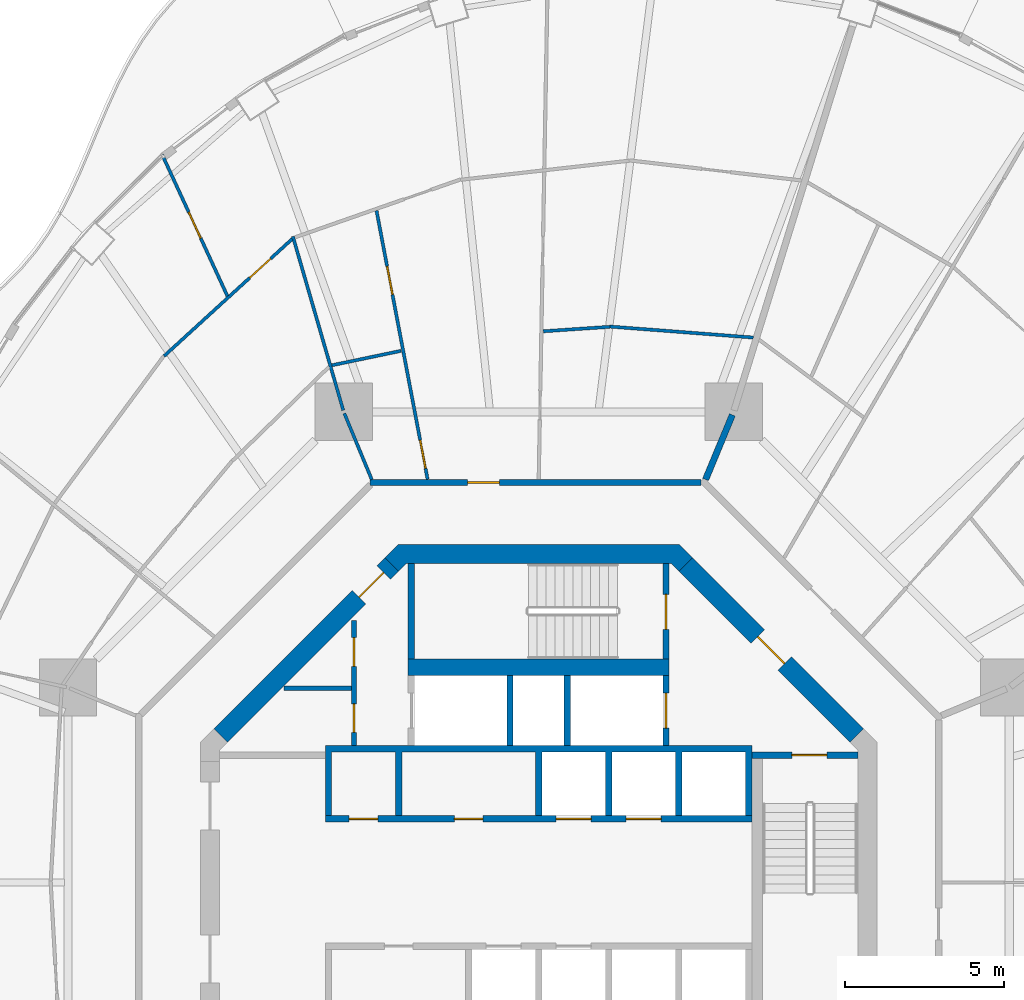
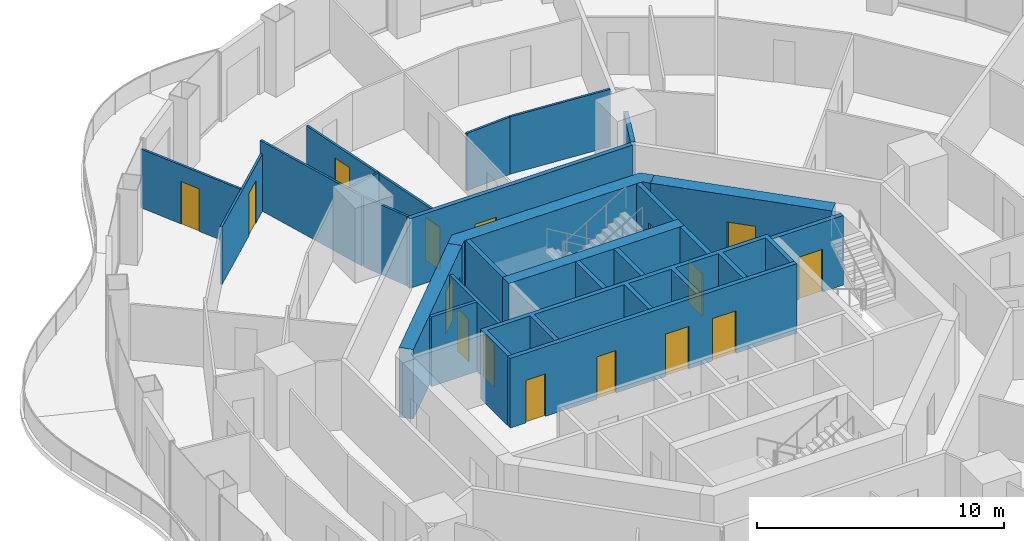
# One storey, part 14 of 19: 24 walls, 16 doors, 16 openings.
"""IFC4 building model written with IfcOpenShell, lengths in metres."""

from ifc_helpers import new_model, si_unit, direction, frame, frame_2d, origin, place, context, subcontext, project, spatial, polyline, rectangle, outline, extrude, material, layer, layer_set, type_object, element, fill, save


model = new_model("IFC4")

# Units and contexts
model_context = context("Model", 3, precision=1e-05, world=origin(), true_north=direction((0.0, 1.0)))
body_context = subcontext(model_context, "Body", "Model", "MODEL_VIEW")
ifc_project = project(units=[si_unit("LENGTHUNIT", "METRE"), si_unit("AREAUNIT", "SQUARE_METRE"), si_unit("VOLUMEUNIT", "CUBIC_METRE"), si_unit("PLANEANGLEUNIT", "RADIAN"), si_unit("MASSUNIT", "GRAM", prefix="KILO")], contexts=[model_context])

# Site, building, storey
site_placement = place(None, origin())
site = spatial("IfcSite", under=ifc_project, at=site_placement, CompositionType="ELEMENT")
building_placement = place(site_placement, origin())
building = spatial("IfcBuilding", under=site, at=building_placement, Name="Nagisa Residences", CompositionType="ELEMENT")
storey_placement = place(building_placement, frame((0.0, 0.0, 180.699951171875)))
storey = spatial("IfcBuildingStorey", under=building, at=storey_placement, Name="L45", CompositionType="ELEMENT", Elevation=180.699951171875)

# Wall
ifc_material_1 = material(Name="Gypsum board on steel studs", Category="steel")
ifc_layer_1 = layer(ifc_material_1, 0.199951171875)
ifc_layer_set_1 = layer_set([ifc_layer_1], Name="Apartment compartment wall EI60 200")
wall_type_1 = type_object("IfcWallType", Name="Apartment compartment wall EI60 200", PredefinedType="PARTITIONING", material=ifc_layer_set_1)
wall_1_placement = place(storey_placement, frame((5.24267578125, 12.6572265625, 0.0), z_axis=(0.0, 0.0, 1.0), x_axis=(0.382747093259, 0.923853160736, 0.0)))
element("IfcWall", 1, at=wall_1_placement, inside=storey, type_object=wall_type_1, Name="wall:L45:u02", PredefinedType="PARTITIONING", context=body_context, shape_type="SweptSolid", body=[
    extrude(rectangle(XDim=2.199951171875, YDim=0.199951171875, at=frame_2d((1.10009765625, 0.0))), origin(), (0.0, 0.0, 1.0), 3.43994140625),
])

# Wall, opening, door
ifc_material_2 = material(Name="Gypsum board on steel studs", Category="steel")
ifc_layer_2 = layer(ifc_material_2, 0.199951171875)
ifc_layer_set_2 = layer_set([ifc_layer_2], Name="Apartment entry wall EI60 200")
wall_type_2 = type_object("IfcWallType", Name="Apartment entry wall EI60 200", PredefinedType="PARTITIONING", material=ifc_layer_set_2)
wall_2_placement = place(storey_placement, frame((5.1044921875, 12.564697265625, 0.0), z_axis=(0.0, 0.0, 1.0), x_axis=(-1.0, 0.0, 0.0)))
wall_2 = element("IfcWall", 2, at=wall_2_placement, inside=storey, type_object=wall_type_2, Name="wall:L45:u10", PredefinedType="PARTITIONING", context=body_context, shape_type="SweptSolid", body=[
    extrude(rectangle(XDim=10.408935546875, YDim=0.199951171875, at=frame_2d((5.20458984375, 0.0))), origin(), (0.0, 0.0, 1.0), 3.43994140625),
])
opening_1_placement = place(wall_2_placement, frame((6.33935546875, 0.0, 0.0)))
opening_1 = element("IfcOpeningElement", 3, at=opening_1_placement, cuts=wall_2, Name="Opening L45-U01", PredefinedType="OPENING", context=body_context, shape_type="SweptSolid", body=[
    extrude(rectangle(XDim=1.0, YDim=2.10009765625, at=frame_2d((0.5, 1.050048828125))), frame((0.0, 0.10986328125, 0.0), z_axis=(0.0, -1.0, 0.0), x_axis=(1.0, 0.0, 0.0)), (0.0, 0.0, 1.0), 0.219970703125),
])
ifc_material_3 = material(Name="Timber fire door set", Category="wood")
door_type_1 = type_object("IfcDoorType", Name="Apartment entry door FD30S 1000x2100", OperationType="NOTDEFINED", PredefinedType="DOOR", material=ifc_material_3)
door_1_placement = place(opening_1_placement, frame((1.0, 0.0, 0.0), x_axis=(-1.0, 0.0, 0.0)))
door_1 = element("IfcDoor", 4, at=door_1_placement, inside=storey, type_object=door_type_1, Name="Entry door, Apartment 45A", OperationType="SINGLE_SWING_RIGHT", OverallHeight=2.10009765625, OverallWidth=1.0, PredefinedType="DOOR", context=body_context, shape_type="SweptSolid", body=[
    extrude(rectangle(XDim=1.0, YDim=2.10009765625, at=frame_2d((0.5, 1.050048828125))), frame((0.0, 0.02490234375, 0.0), z_axis=(0.0, -1.0, 0.0), x_axis=(1.0, 0.0, 0.0)), (0.0, 0.0, 1.0), 0.050048828125),
])
fill(opening_1, door_1)

# Walls
ifc_material_4 = material(Name="Gypsum board on steel studs", Category="steel")
ifc_layer_3 = layer(ifc_material_4, 0.10009765625)
ifc_layer_set_3 = layer_set([ifc_layer_3], Name="Apartment partition 100")
wall_type_3 = type_object("IfcWallType", Name="Apartment partition 100", PredefinedType="PARTITIONING", material=ifc_layer_set_3)
wall_3_placement = place(storey_placement, frame((6.7412109375, 17.1171875, 0.0), z_axis=(0.0, 0.0, 1.0), x_axis=(-0.997078320723, 0.076386008825, 0.0)))
element("IfcWall", 5, at=wall_3_placement, inside=storey, type_object=wall_type_3, Name="wall:L45:u31", PredefinedType="PARTITIONING", context=body_context, shape_type="SweptSolid", body=[
    extrude(rectangle(XDim=4.509765625, YDim=0.10009765625, at=frame_2d((2.2548828125, 0.0))), origin(), (0.0, 0.0, 1.0), 2.837158203125),
])
wall_4_placement = place(storey_placement, frame((2.244384765625, 17.45458984375, 0.0), z_axis=(0.0, 0.0, 1.0), x_axis=(-0.997756833447, -0.06694252243, 0.0)))
element("IfcWall", 6, at=wall_4_placement, inside=storey, type_object=wall_type_3, Name="wall:L45:u33", PredefinedType="PARTITIONING", context=body_context, shape_type="SweptSolid", body=[
    extrude(rectangle(XDim=2.104248046875, YDim=0.10009765625, at=frame_2d((1.05224609375, 0.0))), origin(), (0.0, 0.0, 1.0), 2.837158203125),
])

# Wall, openings, doors
wall_5_placement = place(storey_placement, frame((-3.48828125, 12.6630859375, 0.0), z_axis=(0.0, 0.0, 1.0), x_axis=(-0.186783185485, 0.982401161247, 0.0)))
wall_5 = element("IfcWall", 7, at=wall_5_placement, inside=storey, type_object=wall_type_3, Name="wall:L45:u37", PredefinedType="PARTITIONING", context=body_context, shape_type="SweptSolid", body=[
    extrude(rectangle(XDim=8.595458984375, YDim=0.10009765625, at=frame_2d((4.2978515625, 0.0))), origin(), (0.0, 0.0, 1.0), 2.756103515625),
])
opening_2_placement = place(wall_5_placement, frame((0.35009765625, 0.0, 0.0)))
opening_2 = element("IfcOpeningElement", 8, at=opening_2_placement, cuts=wall_5, Name="Opening L45-U03", PredefinedType="OPENING", context=body_context, shape_type="SweptSolid", body=[
    extrude(rectangle(XDim=0.89990234375, YDim=2.10009765625, at=frame_2d((0.449951171875, 1.050048828125))), frame((0.0, 0.06005859375, 0.0), z_axis=(0.0, -1.0, 0.0), x_axis=(1.0, 0.0, 0.0)), (0.0, 0.0, 1.0), 0.1201171875),
])
opening_3_placement = place(wall_5_placement, frame((5.908447265625, 0.0, 0.0)))
opening_3 = element("IfcOpeningElement", 9, at=opening_3_placement, cuts=wall_5, Name="Opening L45-U05", PredefinedType="OPENING", context=body_context, shape_type="SweptSolid", body=[
    extrude(rectangle(XDim=0.89990234375, YDim=2.10009765625, at=frame_2d((0.449951171875, 1.050048828125))), frame((0.0, 0.06005859375, 0.0), z_axis=(0.0, -1.0, 0.0), x_axis=(1.0, 0.0, 0.0)), (0.0, 0.0, 1.0), 0.1201171875),
])
ifc_material_5 = material(Name="Timber door set", Category="wood")
door_type_2 = type_object("IfcDoorType", Name="Apartment door 900x2100", OperationType="NOTDEFINED", PredefinedType="DOOR", material=ifc_material_5)
door_2_placement = place(opening_2_placement, origin())
door_2 = element("IfcDoor", 10, at=door_2_placement, inside=storey, type_object=door_type_2, Name="Door to family bathroom, Apartment 45A", OperationType="SINGLE_SWING_LEFT", OverallHeight=2.10009765625, OverallWidth=0.89990234375, PredefinedType="DOOR", context=body_context, shape_type="SweptSolid", body=[
    extrude(rectangle(XDim=0.89990234375, YDim=2.10009765625, at=frame_2d((0.449951171875, 1.050048828125))), frame((0.0, 0.02490234375, 0.0), z_axis=(0.0, -1.0, 0.0), x_axis=(1.0, 0.0, 0.0)), (0.0, 0.0, 1.0), 0.050048828125),
])
fill(opening_2, door_2)
door_3_placement = place(opening_3_placement, origin())
door_3 = element("IfcDoor", 11, at=door_3_placement, inside=storey, type_object=door_type_2, Name="Door to family bathroom, Apartment 45A", OperationType="SINGLE_SWING_LEFT", OverallHeight=2.10009765625, OverallWidth=0.89990234375, PredefinedType="DOOR", context=body_context, shape_type="SweptSolid", body=[
    extrude(rectangle(XDim=0.89990234375, YDim=2.10009765625, at=frame_2d((0.449951171875, 1.050048828125))), frame((0.0, 0.02490234375, 0.0), z_axis=(0.0, -1.0, 0.0), x_axis=(1.0, 0.0, 0.0)), (0.0, 0.0, 1.0), 0.050048828125),
])
fill(opening_3, door_3)

# Walls
wall_6_placement = place(storey_placement, frame((-4.324462890625, 16.69921875, 0.0), z_axis=(0.0, 0.0, 1.0), x_axis=(-0.978908011866, -0.204301503432, 0.0)))
element("IfcWall", 12, at=wall_6_placement, inside=storey, type_object=wall_type_3, Name="wall:L45:u38", PredefinedType="PARTITIONING", context=body_context, shape_type="SweptSolid", body=[
    extrude(rectangle(XDim=2.218017578125, YDim=0.10009765625, at=frame_2d((1.10888671875, 0.0))), origin(), (0.0, 0.0, 1.0), 2.837158203125),
])
wall_7_placement = place(storey_placement, frame((-5.24267578125, 12.6572265625, 0.0), z_axis=(0.0, 0.0, 1.0), x_axis=(-0.382719158442, 0.923864733477, 0.0)))
element("IfcWall", 13, at=wall_7_placement, inside=storey, type_object=wall_type_3, Name="wall:L45:u39", PredefinedType="PARTITIONING", context=body_context, shape_type="SweptSolid", body=[
    extrude(rectangle(XDim=2.25, YDim=0.10009765625, at=frame_2d((1.125, 0.0))), origin(), (0.0, 0.0, 1.0), 3.43994140625),
])
wall_8_placement = place(storey_placement, frame((-6.136962890625, 14.830078125, 0.0), z_axis=(0.0, 0.0, 1.0), x_axis=(-0.278471793245, 0.960444407744, 0.0)))
element("IfcWall", 14, at=wall_8_placement, inside=storey, type_object=wall_type_3, Name="wall:L45:u40", PredefinedType="PARTITIONING", context=body_context, shape_type="SweptSolid", body=[
    extrude(rectangle(XDim=5.688232421875, YDim=0.10009765625, at=frame_2d((2.84423828125, 0.0))), origin(), (0.0, 0.0, 1.0), 3.43994140625),
])

# Wall, opening, door
wall_9_placement = place(storey_placement, frame((-7.743896484375, 20.211669921875, 0.0), z_axis=(0.0, 0.0, 1.0), x_axis=(-0.738051761282, -0.674744097913, 0.0)))
wall_9 = element("IfcWall", 15, at=wall_9_placement, inside=storey, type_object=wall_type_3, Name="wall:L45:u42", PredefinedType="PARTITIONING", context=body_context, shape_type="SweptSolid", body=[
    extrude(rectangle(XDim=5.44921875, YDim=0.10009765625, at=frame_2d((2.724609375, 0.0))), origin(), (0.0, 0.0, 1.0), 2.837158203125),
])
opening_4_placement = place(wall_9_placement, frame((0.912109375, 0.0, 0.0)))
opening_4 = element("IfcOpeningElement", 16, at=opening_4_placement, cuts=wall_9, Name="Opening L45-U09", PredefinedType="OPENING", context=body_context, shape_type="SweptSolid", body=[
    extrude(rectangle(XDim=0.89990234375, YDim=2.10009765625, at=frame_2d((0.449951171875, 1.050048828125))), frame((0.0, 0.06005859375, 0.0), z_axis=(0.0, -1.0, 0.0), x_axis=(1.0, 0.0, 0.0)), (0.0, 0.0, 1.0), 0.1201171875),
])
door_4_placement = place(opening_4_placement, origin())
door_4 = element("IfcDoor", 17, at=door_4_placement, inside=storey, type_object=door_type_2, Name="Door to kitchen, Apartment 45A", OperationType="SINGLE_SWING_LEFT", OverallHeight=2.10009765625, OverallWidth=0.89990234375, PredefinedType="DOOR", context=body_context, shape_type="SweptSolid", body=[
    extrude(rectangle(XDim=0.89990234375, YDim=2.10009765625, at=frame_2d((0.449951171875, 1.050048828125))), frame((0.0, 0.02490234375, 0.0), z_axis=(0.0, -1.0, 0.0), x_axis=(1.0, 0.0, 0.0)), (0.0, 0.0, 1.0), 0.050048828125),
])
fill(opening_4, door_4)

wall_10_placement = place(storey_placement, frame((-9.775634765625, 18.418701171875, 0.0), z_axis=(0.0, 0.0, 1.0), x_axis=(-0.418998197727, 0.907987065052, 0.0)))
wall_10 = element("IfcWall", 18, at=wall_10_placement, inside=storey, type_object=wall_type_3, Name="wall:L45:u43", PredefinedType="PARTITIONING", context=body_context, shape_type="SweptSolid", body=[
    extrude(rectangle(XDim=4.904296875, YDim=0.10009765625, at=frame_2d((2.4521484375, 0.0))), origin(), (0.0, 0.0, 1.0), 2.905029296875),
])
opening_5_placement = place(wall_10_placement, frame((2.002197265625, 0.0, 0.0)))
opening_5 = element("IfcOpeningElement", 19, at=opening_5_placement, cuts=wall_10, Name="Opening L45-U08", PredefinedType="OPENING", context=body_context, shape_type="SweptSolid", body=[
    extrude(rectangle(XDim=0.89990234375, YDim=2.10009765625, at=frame_2d((0.449951171875, 1.050048828125))), frame((0.0, 0.06005859375, 0.0), z_axis=(0.0, -1.0, 0.0), x_axis=(1.0, 0.0, 0.0)), (0.0, 0.0, 1.0), 0.1201171875),
])
door_5_placement = place(opening_5_placement, origin())
door_5 = element("IfcDoor", 20, at=door_5_placement, inside=storey, type_object=door_type_2, Name="Door to master bedroom, Apartment 45A", OperationType="SINGLE_SWING_RIGHT", OverallHeight=2.10009765625, OverallWidth=0.89990234375, PredefinedType="DOOR", context=body_context, shape_type="SweptSolid", body=[
    extrude(rectangle(XDim=0.89990234375, YDim=2.10009765625, at=frame_2d((0.449951171875, 1.050048828125))), frame((0.0, 0.02490234375, 0.0), z_axis=(0.0, -1.0, 0.0), x_axis=(1.0, 0.0, 0.0)), (0.0, 0.0, 1.0), 0.050048828125),
])
fill(opening_5, door_5)

# Wall, openings, doors
ifc_material_6 = material(Name="Gypsum board on steel studs", Category="steel")
ifc_layer_4 = layer(ifc_material_6, 0.14990234375)
ifc_layer_set_4 = layer_set([ifc_layer_4], Name="Core partition 150")
wall_type_4 = type_object("IfcWallType", Name="Core partition 150", PredefinedType="PARTITIONING", material=ifc_layer_set_4)
wall_11_placement = place(storey_placement, frame((-5.800048828125, 4.300048828125, 0.0), z_axis=(0.0, 0.0, 1.0), x_axis=(0.0, 1.0, 0.0)))
wall_11 = element("IfcWall", 21, at=wall_11_placement, inside=storey, type_object=wall_type_4, Name="wall:L45:NWp", PredefinedType="PARTITIONING", context=body_context, shape_type="SweptSolid", body=[
    extrude(rectangle(XDim=3.927001953125, YDim=0.14990234375, at=frame_2d((1.96337890625, 0.0))), origin(), (0.0, 0.0, 1.0), 3.43994140625),
])
opening_6_placement = place(wall_11_placement, frame((0.41259765625, 0.0, 0.0)))
opening_6 = element("IfcOpeningElement", 22, at=opening_6_placement, cuts=wall_11, Name="Opening L45-C11", PredefinedType="OPENING", context=body_context, shape_type="SweptSolid", body=[
    extrude(rectangle(XDim=0.89990234375, YDim=2.10009765625, at=frame_2d((0.449951171875, 1.050048828125))), frame((0.0, 0.0849609375, 0.0), z_axis=(0.0, -1.0, 0.0), x_axis=(1.0, 0.0, 0.0)), (0.0, 0.0, 1.0), 0.169921875),
])
opening_7_placement = place(wall_11_placement, frame((2.488525390625, 0.0, 0.0)))
opening_7 = element("IfcOpeningElement", 23, at=opening_7_placement, cuts=wall_11, Name="Opening L45-C12", PredefinedType="OPENING", context=body_context, shape_type="SweptSolid", body=[
    extrude(rectangle(XDim=0.89990234375, YDim=2.10009765625, at=frame_2d((0.449951171875, 1.050048828125))), frame((0.0, 0.0849609375, 0.0), z_axis=(0.0, -1.0, 0.0), x_axis=(1.0, 0.0, 0.0)), (0.0, 0.0, 1.0), 0.169921875),
])
ifc_material_7 = material(Name="Steel fire door", Category="steel")
door_type_3 = type_object("IfcDoorType", Name="Fire door EI30 900x2100 single swing", OperationType="NOTDEFINED", PredefinedType="DOOR", material=ifc_material_7)
door_6_placement = place(opening_6_placement, origin())
door_6 = element("IfcDoor", 24, at=door_6_placement, inside=storey, type_object=door_type_3, Name="Staff WC door L45", OperationType="SINGLE_SWING_RIGHT", OverallHeight=2.10009765625, OverallWidth=0.89990234375, PredefinedType="DOOR", context=body_context, shape_type="SweptSolid", body=[
    extrude(rectangle(XDim=0.89990234375, YDim=2.10009765625, at=frame_2d((0.449951171875, 1.050048828125))), frame((0.0, 0.02490234375, 0.0), z_axis=(0.0, -1.0, 0.0), x_axis=(1.0, 0.0, 0.0)), (0.0, 0.0, 1.0), 0.050048828125),
])
fill(opening_6, door_6)
door_7_placement = place(opening_7_placement, origin())
door_7 = element("IfcDoor", 25, at=door_7_placement, inside=storey, type_object=door_type_3, Name="Janitor door L45", OperationType="SINGLE_SWING_RIGHT", OverallHeight=2.10009765625, OverallWidth=0.89990234375, PredefinedType="DOOR", context=body_context, shape_type="SweptSolid", body=[
    extrude(rectangle(XDim=0.89990234375, YDim=2.10009765625, at=frame_2d((0.449951171875, 1.050048828125))), frame((0.0, 0.02490234375, 0.0), z_axis=(0.0, -1.0, 0.0), x_axis=(1.0, 0.0, 0.0)), (0.0, 0.0, 1.0), 0.050048828125),
])
fill(opening_7, door_7)

# Wall
wall_12_placement = place(storey_placement, frame((-8.0009765625, 6.10009765625, 0.0), z_axis=(0.0, 0.0, 1.0), x_axis=(1.0, 0.0, 0.0)))
element("IfcWall", 26, at=wall_12_placement, inside=storey, type_object=wall_type_4, Name="wall:L45:NWq", PredefinedType="PARTITIONING", context=body_context, shape_type="SweptSolid", body=[
    extrude(rectangle(XDim=2.1259765625, YDim=0.14990234375, at=frame_2d((1.06298828125, 0.0))), origin(), (0.0, 0.0, 1.0), 3.43994140625),
])

# Wall, opening, door
ifc_material_8 = material(Name="Concrete C60", Category="concrete")
ifc_layer_5 = layer(ifc_material_8, 0.60009765625)
ifc_layer_set_5 = layer_set([ifc_layer_5], Name="Core shear wall 600")
wall_type_5 = type_object("IfcWallType", Name="Core shear wall 600", PredefinedType="SHEAR", material=ifc_layer_set_5)
wall_13_placement = place(storey_placement, frame((9.98828125, 4.613037109375, 0.0), z_axis=(0.0, 0.0, 1.0), x_axis=(-0.707106781187, 0.707106781187, 0.0)))
wall_13 = element("IfcWall", 27, at=wall_13_placement, inside=storey, type_object=wall_type_5, Name="wall:L45:core:flat1", PredefinedType="SHEAR", context=body_context, shape_type="SweptSolid", body=[
    extrude(rectangle(XDim=7.601806640625, YDim=0.60009765625, at=frame_2d((3.80078125, 0.0))), origin(), (0.0, 0.0, 1.0), 3.43994140625),
])
opening_8_placement = place(wall_13_placement, frame((3.200927734375, 0.0, 0.0)))
opening_8 = element("IfcOpeningElement", 28, at=opening_8_placement, cuts=wall_13, Name="Opening L45-C18", PredefinedType="OPENING", context=body_context, shape_type="SweptSolid", body=[
    extrude(rectangle(XDim=1.199951171875, YDim=2.10009765625, at=frame_2d((0.60009765625, 1.050048828125))), frame((0.0, 0.31005859375, 0.0), z_axis=(0.0, -1.0, 0.0), x_axis=(1.0, 0.0, 0.0)), (0.0, 0.0, 1.0), 0.6201171875),
])
ifc_material_9 = material(Name="Steel fire door", Category="steel")
door_type_4 = type_object("IfcDoorType", Name="Fire door EI60 1200x2100 single swing", OperationType="NOTDEFINED", PredefinedType="DOOR", material=ifc_material_9)
door_8_placement = place(opening_8_placement, origin())
door_8 = element("IfcDoor", 29, at=door_8_placement, inside=storey, type_object=door_type_4, Name="Firefighting lobby 1 door L45", OperationType="SINGLE_SWING_LEFT", OverallHeight=2.10009765625, OverallWidth=1.199951171875, PredefinedType="DOOR", context=body_context, shape_type="SweptSolid", body=[
    extrude(rectangle(XDim=1.199951171875, YDim=2.10009765625, at=frame_2d((0.60009765625, 1.050048828125))), frame((0.0, 0.02490234375, 0.0), z_axis=(0.0, -1.0, 0.0), x_axis=(1.0, 0.0, 0.0)), (0.0, 0.0, 1.0), 0.050048828125),
])
fill(opening_8, door_8)

wall_14_placement = place(storey_placement, frame((-4.613037109375, 9.98828125, 0.0), z_axis=(0.0, 0.0, 1.0), x_axis=(-0.707106781187, -0.707106781187, 0.0)))
wall_14 = element("IfcWall", 30, at=wall_14_placement, inside=storey, type_object=wall_type_5, Name="wall:L45:core:flat3", PredefinedType="SHEAR", context=body_context, shape_type="SweptSolid", body=[
    extrude(rectangle(XDim=7.601806640625, YDim=0.60009765625, at=frame_2d((3.80078125, 0.0))), origin(), (0.0, 0.0, 1.0), 3.43994140625),
])
opening_9_placement = place(wall_14_placement, frame((0.350830078125, 0.0, 0.0)))
opening_9 = element("IfcOpeningElement", 31, at=opening_9_placement, cuts=wall_14, Name="Opening L45-C22", PredefinedType="OPENING", context=body_context, shape_type="SweptSolid", body=[
    extrude(rectangle(XDim=1.10009765625, YDim=2.10009765625, at=frame_2d((0.550048828125, 1.050048828125))), frame((0.0, 0.31005859375, 0.0), z_axis=(0.0, -1.0, 0.0), x_axis=(1.0, 0.0, 0.0)), (0.0, 0.0, 1.0), 0.6201171875),
])
ifc_material_10 = material(Name="Steel fire door", Category="steel")
door_type_5 = type_object("IfcDoorType", Name="Fire door EI60 1100x2100 single swing", OperationType="NOTDEFINED", PredefinedType="DOOR", material=ifc_material_10)
door_9_placement = place(opening_9_placement, origin())
door_9 = element("IfcDoor", 32, at=door_9_placement, inside=storey, type_object=door_type_5, Name="Service lobby door L45", OperationType="SINGLE_SWING_LEFT", OverallHeight=2.10009765625, OverallWidth=1.10009765625, PredefinedType="DOOR", context=body_context, shape_type="SweptSolid", body=[
    extrude(rectangle(XDim=1.10009765625, YDim=2.10009765625, at=frame_2d((0.550048828125, 1.050048828125))), frame((0.0, 0.02490234375, 0.0), z_axis=(0.0, -1.0, 0.0), x_axis=(1.0, 0.0, 0.0)), (0.0, 0.0, 1.0), 0.050048828125),
])
fill(opening_9, door_9)

# Wall
wall_15_placement = place(storey_placement, origin())
element("IfcWall", 33, at=wall_15_placement, inside=storey, type_object=wall_type_5, Name="wall:L45:core:flat2", PredefinedType="SHEAR", context=body_context, shape_type="SweptSolid", body=[
    extrude(outline(polyline([(-4.15234375, 10.024658203125), (-4.40087890625, 9.776123046875), (-4.8251953125, 10.200439453125), (-4.40087890625, 10.62451171875), (4.40087890625, 10.62451171875), (4.8251953125, 10.200439453125), (4.40087890625, 9.776123046875), (4.15234375, 10.024658203125), (-4.15234375, 10.024658203125)])), origin(), (0.0, 0.0, 1.0), 3.43994140625),
])

# Wall, opening, door
ifc_material_11 = material(Name="Concrete C60", Category="concrete")
ifc_layer_6 = layer(ifc_material_11, 0.199951171875)
ifc_layer_set_6 = layer_set([ifc_layer_6], Name="Lift shaft wall 200")
wall_type_6 = type_object("IfcWallType", Name="Lift shaft wall 200", PredefinedType="SOLIDWALL", material=ifc_layer_set_6)
wall_16_placement = place(storey_placement, frame((4.0, 4.300048828125, 0.0), z_axis=(0.0, 0.0, 1.0), x_axis=(0.0, 1.0, 0.0)))
wall_16 = element("IfcWall", 34, at=wall_16_placement, inside=storey, type_object=wall_type_6, Name="wall:L45:Nb3", PredefinedType="SOLIDWALL", context=body_context, shape_type="SweptSolid", body=[
    extrude(rectangle(XDim=2.199951171875, YDim=0.199951171875, at=frame_2d((1.10009765625, 0.0))), origin(), (0.0, 0.0, 1.0), 3.43994140625),
])
opening_10_placement = place(wall_16_placement, frame((0.550048828125, 0.0, 0.0)))
opening_10 = element("IfcOpeningElement", 35, at=opening_10_placement, cuts=wall_16, Name="Opening L45-C05", PredefinedType="OPENING", context=body_context, shape_type="SweptSolid", body=[
    extrude(rectangle(XDim=1.10009765625, YDim=2.10009765625, at=frame_2d((0.550048828125, 1.050048828125))), frame((0.0, 0.10986328125, 0.0), z_axis=(0.0, -1.0, 0.0), x_axis=(1.0, 0.0, 0.0)), (0.0, 0.0, 1.0), 0.219970703125),
])
ifc_material_12 = material(Name="Stainless steel", Category="steel")
door_type_6 = type_object("IfcDoorType", Name="Lift landing door 1100x2100", OperationType="DOUBLE_DOOR_SLIDING", PredefinedType="DOOR", material=ifc_material_12)
door_10_placement = place(opening_10_placement, origin())
door_10 = element("IfcDoor", 36, at=door_10_placement, inside=storey, type_object=door_type_6, Name="Landing door FL1 L45", OperationType="DOUBLE_DOOR_SLIDING", OverallHeight=2.10009765625, OverallWidth=1.10009765625, PredefinedType="DOOR", context=body_context, shape_type="SweptSolid", body=[
    extrude(rectangle(XDim=1.10009765625, YDim=2.10009765625, at=frame_2d((0.550048828125, 1.050048828125))), frame((0.0, 0.02490234375, 0.0), z_axis=(0.0, -1.0, 0.0), x_axis=(1.0, 0.0, 0.0)), (0.0, 0.0, 1.0), 0.050048828125),
])
fill(opening_10, door_10)

# Wall, openings, doors
wall_17_placement = place(storey_placement, frame((-6.699951171875, 2.0, 0.0), z_axis=(0.0, 0.0, 1.0), x_axis=(1.0, 0.0, 0.0)))
wall_17 = element("IfcWall", 37, at=wall_17_placement, inside=storey, type_object=wall_type_6, Name="wall:L45:Nfront", PredefinedType="SOLIDWALL", context=body_context, shape_type="SweptSolid", body=[
    extrude(rectangle(XDim=13.39990234375, YDim=0.199951171875, at=frame_2d((6.699951171875, 0.0))), origin(), (0.0, 0.0, 1.0), 3.43994140625),
])
opening_11_placement = place(wall_17_placement, frame((7.25, 0.0, 0.0)))
opening_11 = element("IfcOpeningElement", 38, at=opening_11_placement, cuts=wall_17, Name="Opening L45-C01", PredefinedType="OPENING", context=body_context, shape_type="SweptSolid", body=[
    extrude(rectangle(XDim=1.10009765625, YDim=2.10009765625, at=frame_2d((0.550048828125, 1.050048828125))), frame((0.0, 0.10986328125, 0.0), z_axis=(0.0, -1.0, 0.0), x_axis=(1.0, 0.0, 0.0)), (0.0, 0.0, 1.0), 0.219970703125),
])
opening_12_placement = place(wall_17_placement, frame((9.449951171875, 0.0, 0.0)))
opening_12 = element("IfcOpeningElement", 39, at=opening_12_placement, cuts=wall_17, Name="Opening L45-C02", PredefinedType="OPENING", context=body_context, shape_type="SweptSolid", body=[
    extrude(rectangle(XDim=1.10009765625, YDim=2.10009765625, at=frame_2d((0.550048828125, 1.050048828125))), frame((0.0, 0.10986328125, 0.0), z_axis=(0.0, -1.0, 0.0), x_axis=(1.0, 0.0, 0.0)), (0.0, 0.0, 1.0), 0.219970703125),
])
opening_13_placement = place(wall_17_placement, frame((0.75, 0.0, 0.0)))
opening_13 = element("IfcOpeningElement", 40, at=opening_13_placement, cuts=wall_17, Name="Opening L45-C15", PredefinedType="OPENING", context=body_context, shape_type="SweptSolid", body=[
    extrude(rectangle(XDim=0.89990234375, YDim=2.10009765625, at=frame_2d((0.449951171875, 1.050048828125))), frame((0.0, 0.10986328125, 0.0), z_axis=(0.0, -1.0, 0.0), x_axis=(1.0, 0.0, 0.0)), (0.0, 0.0, 1.0), 0.219970703125),
])
opening_14_placement = place(wall_17_placement, frame((4.050048828125, 0.0, 0.0)))
opening_14 = element("IfcOpeningElement", 41, at=opening_14_placement, cuts=wall_17, Name="Opening L45-C16", PredefinedType="OPENING", context=body_context, shape_type="SweptSolid", body=[
    extrude(rectangle(XDim=0.89990234375, YDim=2.10009765625, at=frame_2d((0.449951171875, 1.050048828125))), frame((0.0, 0.10986328125, 0.0), z_axis=(0.0, -1.0, 0.0), x_axis=(1.0, 0.0, 0.0)), (0.0, 0.0, 1.0), 0.219970703125),
])
door_11_placement = place(opening_13_placement, origin())
door_11 = element("IfcDoor", 42, at=door_11_placement, inside=storey, type_object=door_type_3, Name="Stationery store door L45", OperationType="SINGLE_SWING_LEFT", OverallHeight=2.10009765625, OverallWidth=0.89990234375, PredefinedType="DOOR", context=body_context, shape_type="SweptSolid", body=[
    extrude(rectangle(XDim=0.89990234375, YDim=2.10009765625, at=frame_2d((0.449951171875, 1.050048828125))), frame((0.0, 0.02490234375, 0.0), z_axis=(0.0, -1.0, 0.0), x_axis=(1.0, 0.0, 0.0)), (0.0, 0.0, 1.0), 0.050048828125),
])
fill(opening_13, door_11)
door_12_placement = place(opening_14_placement, origin())
door_12 = element("IfcDoor", 43, at=door_12_placement, inside=storey, type_object=door_type_3, Name="Wine store door L45", OperationType="SINGLE_SWING_LEFT", OverallHeight=2.10009765625, OverallWidth=0.89990234375, PredefinedType="DOOR", context=body_context, shape_type="SweptSolid", body=[
    extrude(rectangle(XDim=0.89990234375, YDim=2.10009765625, at=frame_2d((0.449951171875, 1.050048828125))), frame((0.0, 0.02490234375, 0.0), z_axis=(0.0, -1.0, 0.0), x_axis=(1.0, 0.0, 0.0)), (0.0, 0.0, 1.0), 0.050048828125),
])
fill(opening_14, door_12)
door_13_placement = place(opening_11_placement, origin())
door_13 = element("IfcDoor", 44, at=door_13_placement, inside=storey, type_object=door_type_6, Name="Landing door B1 L45", OperationType="DOUBLE_DOOR_SLIDING", OverallHeight=2.10009765625, OverallWidth=1.10009765625, PredefinedType="DOOR", context=body_context, shape_type="SweptSolid", body=[
    extrude(rectangle(XDim=1.10009765625, YDim=2.10009765625, at=frame_2d((0.550048828125, 1.050048828125))), frame((0.0, 0.02490234375, 0.0), z_axis=(0.0, -1.0, 0.0), x_axis=(1.0, 0.0, 0.0)), (0.0, 0.0, 1.0), 0.050048828125),
])
fill(opening_11, door_13)
door_14_placement = place(opening_12_placement, origin())
door_14 = element("IfcDoor", 45, at=door_14_placement, inside=storey, type_object=door_type_6, Name="Landing door B2 L45", OperationType="DOUBLE_DOOR_SLIDING", OverallHeight=2.10009765625, OverallWidth=1.10009765625, PredefinedType="DOOR", context=body_context, shape_type="SweptSolid", body=[
    extrude(rectangle(XDim=1.10009765625, YDim=2.10009765625, at=frame_2d((0.550048828125, 1.050048828125))), frame((0.0, 0.02490234375, 0.0), z_axis=(0.0, -1.0, 0.0), x_axis=(1.0, 0.0, 0.0)), (0.0, 0.0, 1.0), 0.050048828125),
])
fill(opening_12, door_14)

# Walls
for number, where, z_axis, x_axis, name in (
    (46, (-0.89990234375, 4.300048828125, 0.0), (0.0, 0.0, 1.0), (0.0, 1.0, 0.0), "wall:L45:Nb1"),
    (47, (0.89990234375, 4.300048828125, 0.0), (0.0, 0.0, 1.0), (0.0, 1.0, 0.0), "wall:L45:Nb2"),
):
    element("IfcWall", number, at=place(storey_placement, frame(where, z_axis=z_axis, x_axis=x_axis)), inside=storey, type_object=wall_type_6, Name=name, PredefinedType="SOLIDWALL", context=body_context, shape_type="SweptSolid", body=[
        extrude(rectangle(XDim=2.199951171875, YDim=0.199951171875, at=frame_2d((1.10009765625, 0.0))), origin(), (0.0, 0.0, 1.0), 3.43994140625),
    ])
wall_18_placement = place(storey_placement, origin())
element("IfcWall", 48, at=wall_18_placement, inside=storey, type_object=wall_type_6, Name="wall:L45:Nback", PredefinedType="SOLIDWALL", context=body_context, shape_type="SweptSolid", body=[
    extrude(outline(polyline([(-6.699951171875, 4.300048828125), (6.699951171875, 4.300048828125), (6.699951171875, 2.10009765625), (6.5, 2.10009765625), (6.5, 4.10009765625), (4.5, 4.10009765625), (4.5, 2.10009765625), (4.300048828125, 2.10009765625), (4.300048828125, 4.10009765625), (2.300048828125, 4.10009765625), (2.300048828125, 2.10009765625), (2.10009765625, 2.10009765625), (2.10009765625, 4.10009765625), (0.10009765625, 4.10009765625), (0.10009765625, 2.10009765625), (-0.10009765625, 2.10009765625), (-0.10009765625, 4.10009765625), (-4.300048828125, 4.10009765625), (-4.300048828125, 2.10009765625), (-4.5, 2.10009765625), (-4.5, 4.10009765625), (-6.5, 4.10009765625), (-6.5, 2.10009765625), (-6.699951171875, 2.10009765625), (-6.699951171875, 4.300048828125)])), origin(), (0.0, 0.0, 1.0), 3.43994140625),
])

# Wall, opening, door
ifc_material_13 = material(Name="Concrete C60", Category="concrete")
ifc_layer_7 = layer(ifc_material_13, 0.199951171875)
ifc_layer_set_7 = layer_set([ifc_layer_7], Name="Stair enclosure wall 200")
wall_type_7 = type_object("IfcWallType", Name="Stair enclosure wall 200", PredefinedType="SOLIDWALL", material=ifc_layer_set_7)
wall_19_placement = place(storey_placement, frame((6.699951171875, 4.0, 0.0), z_axis=(0.0, 0.0, 1.0), x_axis=(1.0, 0.0, 0.0)))
wall_19 = element("IfcWall", 49, at=wall_19_placement, inside=storey, type_object=wall_type_7, Name="wall:L45:SE_n", PredefinedType="SOLIDWALL", context=body_context, shape_type="SweptSolid", body=[
    extrude(rectangle(XDim=3.32470703125, YDim=0.199951171875, at=frame_2d((1.662353515625, 0.0))), origin(), (0.0, 0.0, 1.0), 3.43994140625),
])
opening_15_placement = place(wall_19_placement, frame((1.25, 0.0, 0.0)))
opening_15 = element("IfcOpeningElement", 50, at=opening_15_placement, cuts=wall_19, Name="Opening L45-C08", PredefinedType="OPENING", context=body_context, shape_type="SweptSolid", body=[
    extrude(rectangle(XDim=1.10009765625, YDim=2.10009765625, at=frame_2d((0.550048828125, 1.050048828125))), frame((0.0, 0.10986328125, 0.0), z_axis=(0.0, -1.0, 0.0), x_axis=(1.0, 0.0, 0.0)), (0.0, 0.0, 1.0), 0.219970703125),
])
ifc_material_14 = material(Name="Steel fire door", Category="steel")
door_type_7 = type_object("IfcDoorType", Name="Fire door EI90 1100x2100 single swing", OperationType="NOTDEFINED", PredefinedType="DOOR", material=ifc_material_14)
door_15_placement = place(opening_15_placement, frame((1.10009765625, 0.0, 0.0), x_axis=(-1.0, 0.0, 0.0)))
door_15 = element("IfcDoor", 51, at=door_15_placement, inside=storey, type_object=door_type_7, Name="Stair door ST-E L45", OperationType="SINGLE_SWING_RIGHT", OverallHeight=2.10009765625, OverallWidth=1.10009765625, PredefinedType="DOOR", context=body_context, shape_type="SweptSolid", body=[
    extrude(rectangle(XDim=1.10009765625, YDim=2.10009765625, at=frame_2d((0.550048828125, 1.050048828125))), frame((0.0, 0.02490234375, 0.0), z_axis=(0.0, -1.0, 0.0), x_axis=(1.0, 0.0, 0.0)), (0.0, 0.0, 1.0), 0.050048828125),
])
fill(opening_15, door_15)

wall_20_placement = place(storey_placement, frame((4.0, 7.024658203125, 0.0), z_axis=(0.0, 0.0, 1.0), x_axis=(0.0, 1.0, 0.0)))
wall_20 = element("IfcWall", 52, at=wall_20_placement, inside=storey, type_object=wall_type_7, Name="wall:L45:SN_e", PredefinedType="SOLIDWALL", context=body_context, shape_type="SweptSolid", body=[
    extrude(rectangle(XDim=3.0, YDim=0.199951171875, at=frame_2d((1.5, 0.0))), origin(), (0.0, 0.0, 1.0), 3.43994140625),
])
opening_16_placement = place(wall_20_placement, frame((0.92529296875, 0.0, 0.0)))
opening_16 = element("IfcOpeningElement", 53, at=opening_16_placement, cuts=wall_20, Name="Opening L45-C09", PredefinedType="OPENING", context=body_context, shape_type="SweptSolid", body=[
    extrude(rectangle(XDim=1.10009765625, YDim=2.10009765625, at=frame_2d((0.550048828125, 1.050048828125))), frame((0.0, 0.10986328125, 0.0), z_axis=(0.0, -1.0, 0.0), x_axis=(1.0, 0.0, 0.0)), (0.0, 0.0, 1.0), 0.219970703125),
])
door_16_placement = place(opening_16_placement, origin())
door_16 = element("IfcDoor", 54, at=door_16_placement, inside=storey, type_object=door_type_7, Name="Stair door ST-N L45", OperationType="SINGLE_SWING_LEFT", OverallHeight=2.10009765625, OverallWidth=1.10009765625, PredefinedType="DOOR", context=body_context, shape_type="SweptSolid", body=[
    extrude(rectangle(XDim=1.10009765625, YDim=2.10009765625, at=frame_2d((0.550048828125, 1.050048828125))), frame((0.0, 0.02490234375, 0.0), z_axis=(0.0, -1.0, 0.0), x_axis=(1.0, 0.0, 0.0)), (0.0, 0.0, 1.0), 0.050048828125),
])
fill(opening_16, door_16)

# Walls
wall_21_placement = place(storey_placement, origin())
element("IfcWall", 55, at=wall_21_placement, inside=storey, type_object=wall_type_7, Name="wall:L45:SN_w", PredefinedType="SOLIDWALL", context=body_context, shape_type="SweptSolid", body=[
    extrude(outline(polyline([(-3.89990234375, 7.024658203125), (-4.10009765625, 7.024658203125), (-4.10009765625, 10.024658203125), (-3.89990234375, 10.024658203125), (-3.89990234375, 7.024658203125)])), origin(), (0.0, 0.0, 1.0), 3.43994140625),
])
wall_22_placement = place(storey_placement, origin())
element("IfcWall", 56, at=wall_22_placement, inside=storey, type_object=wall_type_7, Name="wall:L45:SN_s", PredefinedType="SOLIDWALL", context=body_context, shape_type="SweptSolid", body=[
    extrude(outline(polyline([(4.10009765625, 6.5), (-4.10009765625, 6.5), (-4.10009765625, 7.024658203125), (4.10009765625, 7.024658203125), (4.10009765625, 6.5)])), origin(), (0.0, 0.0, 1.0), 3.43994140625),
])

save(model, "model.ifc")
